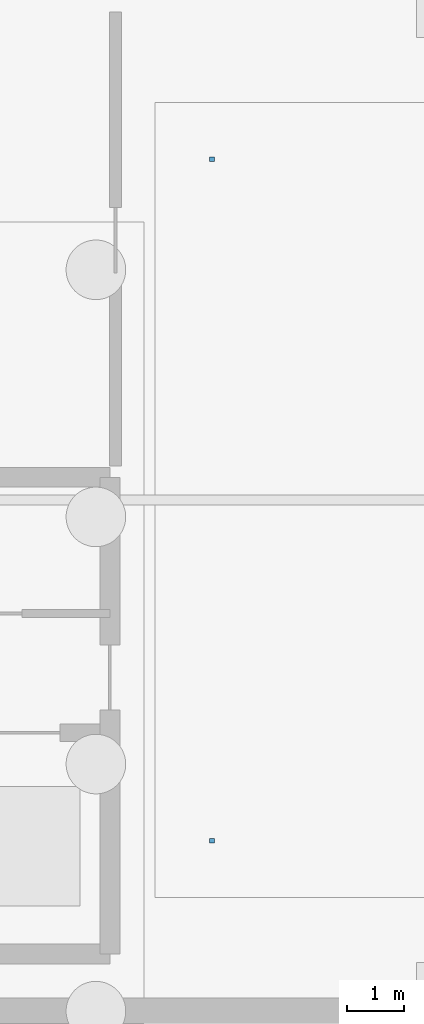
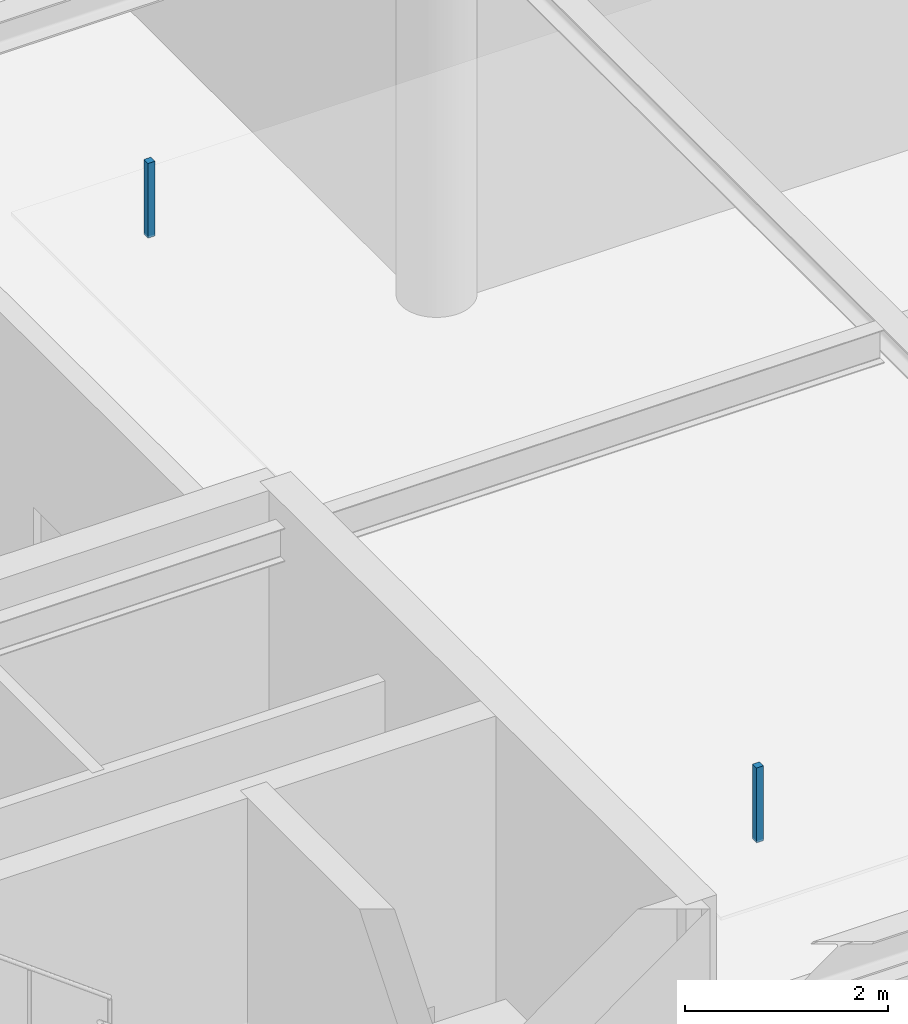
# One storey, part 42 of 53: 2 discrete accessories.
"""IFC4 building model written with IfcOpenShell, lengths in metres."""

from ifc_helpers import new_model, si_unit, derived_unit, direction, frame, origin, origin_2d, place, context, subcontext, project, spatial, rectangle, extrude, material, type_object, element, save


model = new_model("IFC4")

# Units and contexts
model_context = context("Model", 3, precision=1e-05, world=origin(), true_north=direction((0.0, 1.0)))
body_context = subcontext(model_context, "Body", "Model", "MODEL_VIEW")
ifc_project = project(units=[si_unit("LENGTHUNIT", "METRE"), si_unit("AREAUNIT", "SQUARE_METRE"), si_unit("VOLUMEUNIT", "CUBIC_METRE"), si_unit("PLANEANGLEUNIT", "RADIAN"), si_unit("MASSUNIT", "GRAM", prefix="KILO"), derived_unit("THERMALTRANSMITTANCEUNIT", [(si_unit("POWERUNIT", "WATT"), 1), (si_unit("LENGTHUNIT", "METRE"), -2), (si_unit("THERMODYNAMICTEMPERATUREUNIT", "KELVIN"), -1)])], contexts=[model_context])

# Site, building, storey
site_placement = place(None, origin())
site = spatial("IfcSite", under=ifc_project, at=site_placement, CompositionType="ELEMENT")
building_placement = place(site_placement, origin())
building = spatial("IfcBuilding", under=site, at=building_placement, Name="Almenara Railside Exhibition Hall", CompositionType="ELEMENT")
storey_placement = place(building_placement, origin())
storey = spatial("IfcBuildingStorey", under=building, at=storey_placement, Name="L00", CompositionType="ELEMENT", Elevation=0.0)

# Discrete accessories
ifc_material = material(Name="Galvanised steel suspension bracket", Category="steel")
discrete_accessory_type = type_object("IfcDiscreteAccessoryType", Name="Ceiling Suspension Bracket Hanger", PredefinedType="BRACKET", material=ifc_material)
for number, where, z_axis, x_axis, name in (
    (1, (79.0, 39.0, 4.280029296875), (0.0, 0.0, 1.0), (1.0, 0.0, 0.0), "Ceiling suspension hanger 0001"),
    (2, (79.0, 51.0, 4.280029296875), (0.0, 0.0, 1.0), (1.0, 0.0, 0.0), "Ceiling suspension hanger 0002"),
):
    element("IfcDiscreteAccessory", number, at=place(storey_placement, frame(where, z_axis=z_axis, x_axis=x_axis)), inside=storey, type_object=discrete_accessory_type, Name=name, PredefinedType="BRACKET", context=body_context, shape_type="SweptSolid", body=[
        extrude(rectangle(XDim=0.080078125, YDim=0.080078125, at=origin_2d()), origin(), (0.0, 0.0, 1.0), 0.89990234375),
    ])

save(model, "model.ifc")
